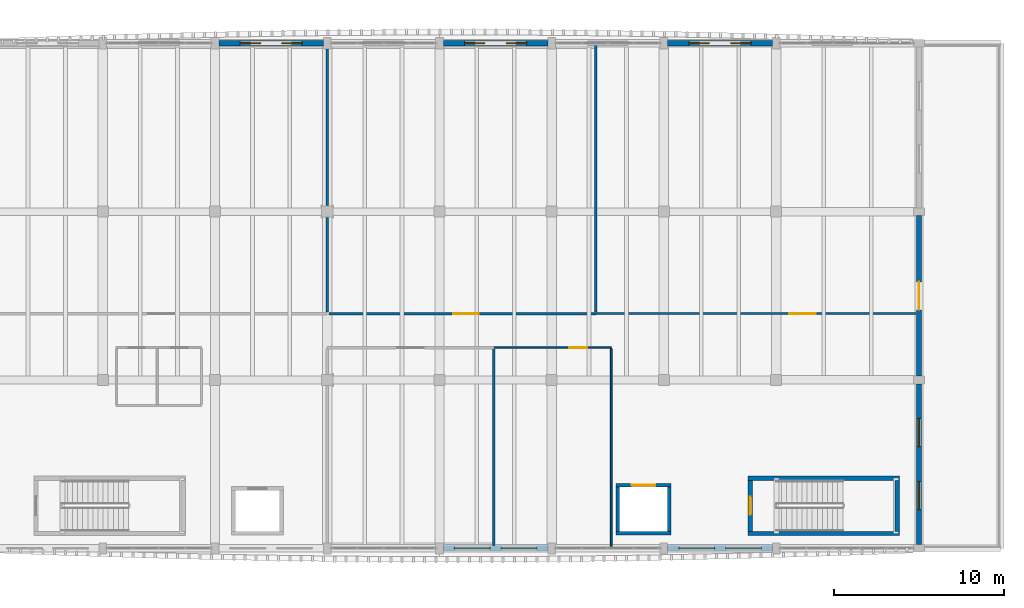
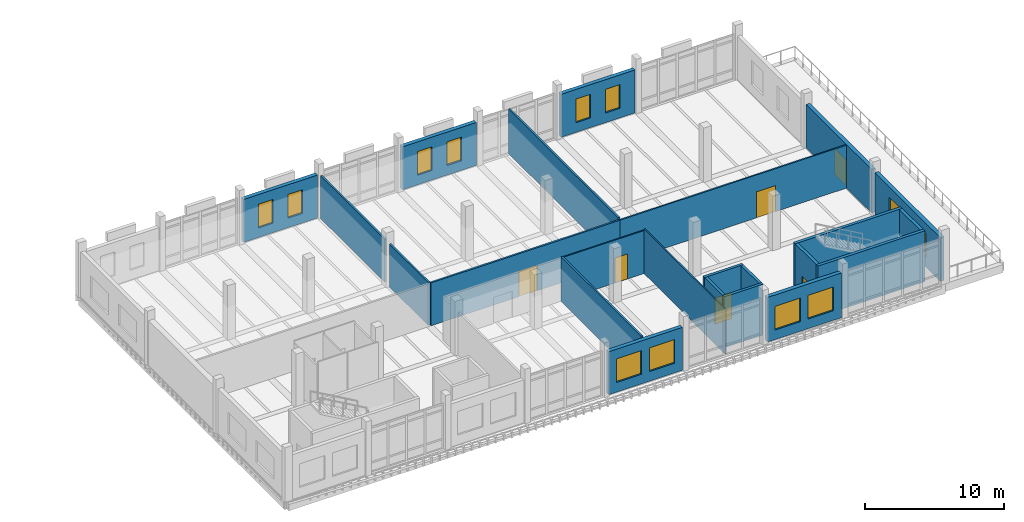
# One storey, part 24 of 39: 23 walls, 12 windows, 6 doors, 18 openings.
"""IFC4 building model written with IfcOpenShell, lengths in metres."""

from ifc_helpers import new_model, si_unit, direction, frame, frame_2d, origin, place, context, subcontext, project, spatial, rectangle, extrude, material, layer, layer_set, type_object, element, fill, save


model = new_model("IFC4")

# Units and contexts
model_context = context("Model", 3, precision=1e-05, world=origin(), true_north=direction((0.0, 1.0)))
body_context = subcontext(model_context, "Body", "Model", "MODEL_VIEW")
ifc_project = project(units=[si_unit("LENGTHUNIT", "METRE"), si_unit("AREAUNIT", "SQUARE_METRE"), si_unit("VOLUMEUNIT", "CUBIC_METRE"), si_unit("PLANEANGLEUNIT", "RADIAN"), si_unit("MASSUNIT", "GRAM", prefix="KILO")], contexts=[model_context])

# Site, building, storey
site_placement = place(None, origin())
site = spatial("IfcSite", under=ifc_project, at=site_placement, CompositionType="ELEMENT")
building_placement = place(site_placement, origin())
building = spatial("IfcBuilding", under=site, at=building_placement, Name="Dornvale Research Institute", CompositionType="ELEMENT")
storey_placement = place(building_placement, frame((0.0, 0.0, 24.60009765625)))
storey = spatial("IfcBuildingStorey", under=building, at=storey_placement, Name="L05", CompositionType="ELEMENT", Elevation=24.60009765625)

# Wall, opening, door
ifc_material_1 = material(Name="Acoustic Insulated Double-Stud Laboratory Partition")
ifc_layer_1 = layer(ifc_material_1, 0.1201171875)
ifc_layer_set_1 = layer_set([ifc_layer_1], Name="Acoustic Insulated Double-Stud Laboratory Partition")
wall_type_1 = type_object("IfcWallType", Name="Partition_Dry_120", PredefinedType="PARTITIONING", material=ifc_layer_set_1)
wall_1_placement = place(storey_placement, frame((154.4150390625, 106.199951171875, 0.0), z_axis=(0.0, 0.0, 1.0), x_axis=(1.0, 0.0, 0.0)))
wall_1 = element("IfcWall", 1, at=wall_1_placement, inside=storey, type_object=wall_type_1, Name="L05 V4 interior partition #485", PredefinedType="PARTITIONING", context=body_context, shape_type="SweptSolid", body=[
    extrude(rectangle(XDim=18.81005859375, YDim=0.1201171875, at=frame_2d((9.405029296875, 0.0))), origin(), (0.0, 0.0, 1.0), 3.77978515625),
])
opening_1_placement = place(wall_1_placement, frame((11.344970703125, 0.0, 0.0)))
opening_1 = element("IfcOpeningElement", 2, at=opening_1_placement, cuts=wall_1, Name="Opening ID-18", PredefinedType="OPENING", context=body_context, shape_type="SweptSolid", body=[
    extrude(rectangle(XDim=1.580078125, YDim=2.300048828125, at=frame_2d((0.7900390625, 1.14990234375))), frame((0.0, 0.074951171875, 0.0), z_axis=(0.0, -1.0, 0.0), x_axis=(1.0, 0.0, 0.0)), (0.0, 0.0, 1.0), 0.150146484375),
])
ifc_material_2 = material(Name="Phenolic-Faced Solid-Core Laboratory Door Assembly")
door_type_1 = type_object("IfcDoorType", Name="Door_Collab_1580x2300", OperationType="SINGLE_SWING_LEFT", PredefinedType="DOOR", material=ifc_material_2)
door_1_placement = place(opening_1_placement, origin())
door_1 = element("IfcDoor", 3, at=door_1_placement, inside=storey, type_object=door_type_1, Name="L05 East Terrace Wet-Lab Collaboration Lounge L05 door #199", OperationType="SINGLE_SWING_RIGHT", OverallHeight=2.300048828125, OverallWidth=1.580078125, PredefinedType="DOOR", context=body_context, shape_type="SweptSolid", body=[
    extrude(rectangle(XDim=1.580078125, YDim=2.300048828125, at=frame_2d((0.7900390625, 1.14990234375))), frame((0.0, 0.02490234375, 0.0), z_axis=(0.0, -1.0, 0.0), x_axis=(1.0, 0.0, 0.0)), (0.0, 0.0, 1.0), 0.050048828125),
])
fill(opening_1, door_1)

# Walls
ifc_material_3 = material(Name="Acoustic Insulated Double-Stud Laboratory Partition")
ifc_layer_2 = layer(ifc_material_3, 0.14990234375)
ifc_layer_set_2 = layer_set([ifc_layer_2], Name="Acoustic Insulated Double-Stud Laboratory Partition")
wall_type_2 = type_object("IfcWallType", Name="Partition_Lab_150", PredefinedType="PARTITIONING", material=ifc_layer_set_2)
wall_2_placement = place(storey_placement, frame((138.60009765625, 106.2900390625, 0.0), z_axis=(0.0, 0.0, 1.0), x_axis=(0.0, 1.0, 0.0)))
element("IfcWall", 4, at=wall_2_placement, inside=storey, type_object=wall_type_2, Name="L05 V4 interior partition #481", PredefinedType="PARTITIONING", context=body_context, shape_type="SweptSolid", body=[
    extrude(rectangle(XDim=5.56494140625, YDim=0.14990234375, at=frame_2d((2.782470703125, 0.0))), origin(), (0.0, 0.0, 1.0), 3.77978515625),
])
wall_3_placement = place(storey_placement, frame((138.60009765625, 112.544921875, 0.0), z_axis=(0.0, 0.0, 1.0), x_axis=(0.0, 1.0, 0.0)))
element("IfcWall", 5, at=wall_3_placement, inside=storey, type_object=wall_type_2, Name="L05 V4 interior partition #482", PredefinedType="PARTITIONING", context=body_context, shape_type="SweptSolid", body=[
    extrude(rectangle(XDim=9.2099609375, YDim=0.14990234375, at=frame_2d((4.60498046875, 0.0))), origin(), (0.0, 0.0, 1.0), 3.77978515625),
])

# Wall, opening, door
wall_4_placement = place(storey_placement, frame((138.68994140625, 106.199951171875, 0.0), z_axis=(0.0, 0.0, 1.0), x_axis=(1.0, 0.0, 0.0)))
wall_4 = element("IfcWall", 6, at=wall_4_placement, inside=storey, type_object=wall_type_2, Name="L05 V4 interior partition #483", PredefinedType="PARTITIONING", context=body_context, shape_type="SweptSolid", body=[
    extrude(rectangle(XDim=15.7099609375, YDim=0.14990234375, at=frame_2d((7.85498046875, 0.0))), origin(), (0.0, 0.0, 1.0), 3.77978515625),
])
opening_2_placement = place(wall_4_placement, frame((7.31005859375, 0.0, 0.0)))
opening_2 = element("IfcOpeningElement", 7, at=opening_2_placement, cuts=wall_4, Name="Opening ID-06", PredefinedType="OPENING", context=body_context, shape_type="SweptSolid", body=[
    extrude(rectangle(XDim=1.5, YDim=2.25, at=frame_2d((0.75, 1.125))), frame((0.0, 0.08984375, 0.0), z_axis=(0.0, -1.0, 0.0), x_axis=(1.0, 0.0, 0.0)), (0.0, 0.0, 1.0), 0.179931640625),
])
ifc_material_4 = material(Name="Insulated Fire-Rated Hollow Metal Door Assembly")
door_type_2 = type_object("IfcDoorType", Name="Door_WetLab_1500x2250", OperationType="SINGLE_SWING_LEFT", PredefinedType="DOOR", material=ifc_material_4)
door_2_placement = place(opening_2_placement, origin())
door_2 = element("IfcDoor", 8, at=door_2_placement, inside=storey, type_object=door_type_2, Name="L05 Catalysis and Electrochemistry Wet Lab door #198", OperationType="SINGLE_SWING_LEFT", OverallHeight=2.25, OverallWidth=1.5, PredefinedType="DOOR", context=body_context, shape_type="SweptSolid", body=[
    extrude(rectangle(XDim=1.5, YDim=2.25, at=frame_2d((0.75, 1.125))), frame((0.0, 0.02490234375, 0.0), z_axis=(0.0, -1.0, 0.0), x_axis=(1.0, 0.0, 0.0)), (0.0, 0.0, 1.0), 0.050048828125),
])
fill(opening_2, door_2)

# Walls
wall_5_placement = place(storey_placement, frame((154.39990234375, 106.2900390625, 0.0), z_axis=(0.0, 0.0, 1.0), x_axis=(0.0, 1.0, 0.0)))
element("IfcWall", 9, at=wall_5_placement, inside=storey, type_object=wall_type_2, Name="L05 V4 interior partition #484", PredefinedType="PARTITIONING", context=body_context, shape_type="SweptSolid", body=[
    extrude(rectangle(XDim=15.77001953125, YDim=0.14990234375, at=frame_2d((7.885009765625, 0.0))), origin(), (0.0, 0.0, 1.0), 3.929931640625),
])
wall_6_placement = place(storey_placement, frame((148.39990234375, 92.574951171875, 0.0), z_axis=(0.0, 0.0, 1.0), x_axis=(0.0, 1.0, 0.0)))
element("IfcWall", 10, at=wall_6_placement, inside=storey, type_object=wall_type_2, Name="L05 V4 interior partition #489", PredefinedType="PARTITIONING", context=body_context, shape_type="SweptSolid", body=[
    extrude(rectangle(XDim=11.53515625, YDim=0.14990234375, at=frame_2d((5.767578125, 0.0))), origin(), (0.0, 0.0, 1.0), 3.929931640625),
])

# Wall, opening, door
ifc_material_5 = material(Name="Acoustic Insulated Double-Stud Laboratory Partition")
ifc_layer_3 = layer(ifc_material_5, 0.10009765625)
ifc_layer_set_3 = layer_set([ifc_layer_3], Name="Acoustic Insulated Double-Stud Laboratory Partition")
wall_type_3 = type_object("IfcWallType", Name="Partition_Office_100", PredefinedType="PARTITIONING", material=ifc_layer_set_3)
wall_7_placement = place(storey_placement, frame((148.4150390625, 104.199951171875, 0.0), z_axis=(0.0, 0.0, 1.0), x_axis=(1.0, 0.0, 0.0)))
wall_7 = element("IfcWall", 11, at=wall_7_placement, inside=storey, type_object=wall_type_3, Name="L05 V4 interior partition #490", PredefinedType="PARTITIONING", context=body_context, shape_type="SweptSolid", body=[
    extrude(rectangle(XDim=6.885009765625, YDim=0.10009765625, at=frame_2d((3.4423828125, 0.0))), origin(), (0.0, 0.0, 1.0), 3.77978515625),
])
opening_3_placement = place(wall_7_placement, frame((4.405029296875, 0.0, 0.0)))
opening_3 = element("IfcOpeningElement", 12, at=opening_3_placement, cuts=wall_7, Name="Opening ID-19", PredefinedType="OPENING", context=body_context, shape_type="SweptSolid", body=[
    extrude(rectangle(XDim=1.06005859375, YDim=2.199951171875, at=frame_2d((0.530029296875, 1.10009765625))), frame((0.0, 0.06494140625, 0.0), z_axis=(0.0, -1.0, 0.0), x_axis=(1.0, 0.0, 0.0)), (0.0, 0.0, 1.0), 0.130126953125),
])
ifc_material_6 = material(Name="Phenolic-Faced Solid-Core Laboratory Door Assembly")
door_type_3 = type_object("IfcDoorType", Name="Door_WriteUp_1060x2200", OperationType="SINGLE_SWING_LEFT", PredefinedType="DOOR", material=ifc_material_6)
door_3_placement = place(opening_3_placement, origin())
door_3 = element("IfcDoor", 13, at=door_3_placement, inside=storey, type_object=door_type_3, Name="L05 Wet Laboratory Write-Up Bays L05 door #201", OperationType="SINGLE_SWING_RIGHT", OverallHeight=2.199951171875, OverallWidth=1.06005859375, PredefinedType="DOOR", context=body_context, shape_type="SweptSolid", body=[
    extrude(rectangle(XDim=1.06005859375, YDim=2.199951171875, at=frame_2d((0.530029296875, 1.10009765625))), frame((0.0, 0.02490234375, 0.0), z_axis=(0.0, -1.0, 0.0), x_axis=(1.0, 0.0, 0.0)), (0.0, 0.0, 1.0), 0.050048828125),
])
fill(opening_3, door_3)

# Walls
wall_8_placement = place(storey_placement, frame((155.300048828125, 92.43994140625, 0.0), z_axis=(0.0, 0.0, 1.0), x_axis=(0.0, 1.0, 0.0)))
element("IfcWall", 14, at=wall_8_placement, inside=storey, type_object=wall_type_3, Name="L05 V4 interior partition #491", PredefinedType="PARTITIONING", context=body_context, shape_type="SweptSolid", body=[
    extrude(rectangle(XDim=11.695068359375, YDim=0.10009765625, at=frame_2d((5.84765625, 0.0))), origin(), (0.0, 0.0, 1.0), 3.929931640625),
])
ifc_material_7 = material(Name="Concrete f'c 45 MPa (C35/45)", Category="concrete")
ifc_layer_4 = layer(ifc_material_7, 0.25)
ifc_layer_set_4 = layer_set([ifc_layer_4], Name="Concrete f'c 45 MPa (C35/45)")
wall_type_4 = type_object("IfcWallType", Name="ShearWall_Core_250", PredefinedType="SHEAR", material=ifc_layer_set_4)
for number, where, z_axis, x_axis, name in (
    (15, (163.35009765625, 93.27490234375, 0.0), (0.0, 0.0, 1.0), (1.0, 0.0, 0.0), "L05 ST-4 shaft shear wall south"),
    (16, (163.35009765625, 96.52490234375, 0.0), (0.0, 0.0, 1.0), (1.0, 0.0, 0.0), "L05 ST-4 shaft shear wall north"),
):
    element("IfcWall", number, at=place(storey_placement, frame(where, z_axis=z_axis, x_axis=x_axis)), inside=storey, type_object=wall_type_4, Name=name, PredefinedType="SHEAR", context=body_context, shape_type="SweptSolid", body=[
        extrude(rectangle(XDim=8.89990234375, YDim=0.25, at=frame_2d((4.449951171875, 0.0))), origin(), (0.0, 0.0, 1.0), 4.47998046875),
    ])

# Wall, opening, door
wall_9_placement = place(storey_placement, frame((163.47509765625, 93.39990234375, 0.0), z_axis=(0.0, 0.0, 1.0), x_axis=(0.0, 1.0, 0.0)))
wall_9 = element("IfcWall", 17, at=wall_9_placement, inside=storey, type_object=wall_type_4, Name="L05 ST-4 shaft shear wall west", PredefinedType="SHEAR", context=body_context, shape_type="SweptSolid", body=[
    extrude(rectangle(XDim=3.0, YDim=0.25, at=frame_2d((1.5, 0.0))), origin(), (0.0, 0.0, 1.0), 4.47998046875),
])
opening_4_placement = place(wall_9_placement, frame((0.9599609375, 0.0, 0.0)))
opening_4 = element("IfcOpeningElement", 18, at=opening_4_placement, cuts=wall_9, Name="Opening SD-02", PredefinedType="OPENING", context=body_context, shape_type="SweptSolid", body=[
    extrude(rectangle(XDim=1.080078125, YDim=2.199951171875, at=frame_2d((0.5400390625, 1.10009765625))), frame((0.0, 0.139892578125, 0.0), z_axis=(0.0, -1.0, 0.0), x_axis=(1.0, 0.0, 0.0)), (0.0, 0.0, 1.0), 0.280029296875),
])
ifc_material_8 = material(Name="Insulated Fire-Rated Hollow Metal Door Assembly")
door_type_4 = type_object("IfcDoorType", Name="Door_Stair_1080x2200", OperationType="SINGLE_SWING_LEFT", PredefinedType="DOOR", material=ifc_material_8)
door_4_placement = place(opening_4_placement, origin())
door_4 = element("IfcDoor", 19, at=door_4_placement, inside=storey, type_object=door_type_4, Name="L05 ST-4 exit stair door #39", OperationType="SINGLE_SWING_RIGHT", OverallHeight=2.199951171875, OverallWidth=1.080078125, PredefinedType="DOOR", context=body_context, shape_type="SweptSolid", body=[
    extrude(rectangle(XDim=1.080078125, YDim=2.199951171875, at=frame_2d((0.5400390625, 1.10009765625))), frame((0.0, 0.02490234375, 0.0), z_axis=(0.0, -1.0, 0.0), x_axis=(1.0, 0.0, 0.0)), (0.0, 0.0, 1.0), 0.050048828125),
])
fill(opening_4, door_4)

# Walls
wall_10_placement = place(storey_placement, frame((172.125, 93.39990234375, 0.0), z_axis=(0.0, 0.0, 1.0), x_axis=(0.0, 1.0, 0.0)))
element("IfcWall", 20, at=wall_10_placement, inside=storey, type_object=wall_type_4, Name="L05 ST-4 shaft shear wall east", PredefinedType="SHEAR", context=body_context, shape_type="SweptSolid", body=[
    extrude(rectangle(XDim=3.0, YDim=0.25, at=frame_2d((1.5, 0.0))), origin(), (0.0, 0.0, 1.0), 4.47998046875),
])
ifc_material_9 = material(Name="Concrete f'c 45 MPa (C35/45)", Category="concrete")
ifc_layer_5 = layer(ifc_material_9, 0.219970703125)
ifc_layer_set_5 = layer_set([ifc_layer_5], Name="Concrete f'c 45 MPa (C35/45)")
wall_type_5 = type_object("IfcWallType", Name="ShearWall_Shaft_220", PredefinedType="SHEAR", material=ifc_layer_set_5)
wall_11_placement = place(storey_placement, frame((155.580078125, 93.2900390625, 0.0), z_axis=(0.0, 0.0, 1.0), x_axis=(1.0, 0.0, 0.0)))
element("IfcWall", 21, at=wall_11_placement, inside=storey, type_object=wall_type_5, Name="L05 LS1 elevator shaft wall south", PredefinedType="SHEAR", context=body_context, shape_type="SweptSolid", body=[
    extrude(rectangle(XDim=3.239990234375, YDim=0.219970703125, at=frame_2d((1.6201171875, 0.0))), origin(), (0.0, 0.0, 1.0), 4.47998046875),
])

# Wall, opening, door
wall_12_placement = place(storey_placement, frame((155.580078125, 96.110107421875, 0.0), z_axis=(0.0, 0.0, 1.0), x_axis=(1.0, 0.0, 0.0)))
wall_12 = element("IfcWall", 22, at=wall_12_placement, inside=storey, type_object=wall_type_5, Name="L05 LS1 elevator shaft wall north", PredefinedType="SHEAR", context=body_context, shape_type="SweptSolid", body=[
    extrude(rectangle(XDim=3.239990234375, YDim=0.219970703125, at=frame_2d((1.6201171875, 0.0))), origin(), (0.0, 0.0, 1.0), 4.47998046875),
])
opening_5_placement = place(wall_12_placement, frame((0.919921875, 0.0, 0.0)))
opening_5 = element("IfcOpeningElement", 23, at=opening_5_placement, cuts=wall_12, Name="Opening LD-03", PredefinedType="OPENING", context=body_context, shape_type="SweptSolid", body=[
    extrude(rectangle(XDim=1.39990234375, YDim=2.300048828125, at=frame_2d((0.699951171875, 1.14990234375))), frame((0.0, 0.125, 0.0), z_axis=(0.0, -1.0, 0.0), x_axis=(1.0, 0.0, 0.0)), (0.0, 0.0, 1.0), 0.25),
])
ifc_material_10 = material(Name="Brushed Stainless Steel Sliding Elevator Landing Door", Category="steel")
door_type_5 = type_object("IfcDoorType", Name="Door_LiftLanding_Serv_1400x2300", OperationType="SINGLE_SWING_LEFT", PredefinedType="DOOR", material=ifc_material_10)
door_5_placement = place(opening_5_placement, origin())
door_5 = element("IfcDoor", 24, at=door_5_placement, inside=storey, type_object=door_type_5, Name="L05 LS1 sliding elevator landing door #51", OperationType="DOUBLE_DOOR_SLIDING", OverallHeight=2.300048828125, OverallWidth=1.39990234375, PredefinedType="DOOR", context=body_context, shape_type="SweptSolid", body=[
    extrude(rectangle(XDim=1.39990234375, YDim=2.300048828125, at=frame_2d((0.699951171875, 1.14990234375))), frame((0.0, 0.02490234375, 0.0), z_axis=(0.0, -1.0, 0.0), x_axis=(1.0, 0.0, 0.0)), (0.0, 0.0, 1.0), 0.050048828125),
])
fill(opening_5, door_5)

# Walls
for number, where, z_axis, x_axis, name in (
    (25, (155.68994140625, 93.39990234375, 0.0), (0.0, 0.0, 1.0), (0.0, 1.0, 0.0), "L05 LS1 elevator shaft wall west"),
    (26, (158.7099609375, 93.39990234375, 0.0), (0.0, 0.0, 1.0), (0.0, 1.0, 0.0), "L05 LS1 elevator shaft wall east"),
):
    element("IfcWall", number, at=place(storey_placement, frame(where, z_axis=z_axis, x_axis=x_axis)), inside=storey, type_object=wall_type_5, Name=name, PredefinedType="SHEAR", context=body_context, shape_type="SweptSolid", body=[
        extrude(rectangle(XDim=2.60009765625, YDim=0.219970703125, at=frame_2d((1.300048828125, 0.0))), origin(), (0.0, 0.0, 1.0), 4.47998046875),
    ])

# Wall, openings, windows
ifc_material_11 = material(Name="Catalan Pressed Brick and Insulated Cavity Assembly", Category="masonry")
ifc_layer_6 = layer(ifc_material_11, 0.320068359375)
ifc_layer_set_6 = layer_set([ifc_layer_6], Name="Catalan Pressed Brick and Insulated Cavity Assembly")
wall_type_6 = type_object("IfcWallType", Name="StandardWall_BrickCavity_320", PredefinedType="STANDARD", material=ifc_layer_set_6)
wall_13_placement = place(storey_placement, frame((132.22509765625, 122.10009765625, 0.0), z_axis=(0.0, 0.0, 1.0), x_axis=(1.0, 0.0, 0.0)))
wall_13 = element("IfcWall", 27, at=wall_13_placement, inside=storey, type_object=wall_type_6, Name="L05 V4 north exterior wall #265", PredefinedType="STANDARD", context=body_context, shape_type="SweptSolid", body=[
    extrude(rectangle(XDim=6.14990234375, YDim=0.320068359375, at=frame_2d((3.074951171875, 0.0))), origin(), (0.0, 0.0, 1.0), 3.77978515625),
])
opening_6_placement = place(wall_13_placement, frame((1.25, 0.0, 0.85009765625)))
opening_6 = element("IfcOpeningElement", 28, at=opening_6_placement, cuts=wall_13, Name="Opening W-37", PredefinedType="OPENING", context=body_context, shape_type="SweptSolid", body=[
    extrude(rectangle(XDim=1.199951171875, YDim=2.080078125, at=frame_2d((0.60009765625, 1.0400390625))), frame((0.0, 0.175048828125, 0.0), z_axis=(0.0, -1.0, 0.0), x_axis=(1.0, 0.0, 0.0)), (0.0, 0.0, 1.0), 0.35009765625),
])
opening_7_placement = place(wall_13_placement, frame((3.699951171875, 0.0, 0.85009765625)))
opening_7 = element("IfcOpeningElement", 29, at=opening_7_placement, cuts=wall_13, Name="Opening W-37", PredefinedType="OPENING", context=body_context, shape_type="SweptSolid", body=[
    extrude(rectangle(XDim=1.199951171875, YDim=2.080078125, at=frame_2d((0.60009765625, 1.0400390625))), frame((0.0, 0.175048828125, 0.0), z_axis=(0.0, -1.0, 0.0), x_axis=(1.0, 0.0, 0.0)), (0.0, 0.0, 1.0), 0.35009765625),
])
ifc_material_12 = material(Name="Low-E Argon Double Insulating Glazing Unit", Category="glass")
window_type_1 = type_object("IfcWindowType", Name="Window_Alu_1200x2080_37", PartitioningType="SINGLE_PANEL", PredefinedType="WINDOW", material=ifc_material_12)
window_1_placement = place(opening_6_placement, origin())
window_1 = element("IfcWindow", 30, at=window_1_placement, inside=storey, type_object=window_type_1, Name="L05 V4 facade window W-37 #363", OverallHeight=2.080078125, OverallWidth=1.199951171875, PartitioningType="SINGLE_PANEL", PredefinedType="WINDOW", context=body_context, shape_type="SweptSolid", body=[
    extrude(rectangle(XDim=1.199951171875, YDim=2.080078125, at=frame_2d((0.60009765625, 1.0400390625))), frame((0.0, 0.030029296875, 0.0), z_axis=(0.0, -1.0, 0.0), x_axis=(1.0, 0.0, 0.0)), (0.0, 0.0, 1.0), 0.06005859375),
])
fill(opening_6, window_1)
window_2_placement = place(opening_7_placement, origin())
window_2 = element("IfcWindow", 31, at=window_2_placement, inside=storey, type_object=window_type_1, Name="L05 V4 facade window W-37 #364", OverallHeight=2.080078125, OverallWidth=1.199951171875, PartitioningType="SINGLE_PANEL", PredefinedType="WINDOW", context=body_context, shape_type="SweptSolid", body=[
    extrude(rectangle(XDim=1.199951171875, YDim=2.080078125, at=frame_2d((0.60009765625, 1.0400390625))), frame((0.0, 0.030029296875, 0.0), z_axis=(0.0, -1.0, 0.0), x_axis=(1.0, 0.0, 0.0)), (0.0, 0.0, 1.0), 0.06005859375),
])
fill(opening_7, window_2)

wall_14_placement = place(storey_placement, frame((145.425048828125, 122.10009765625, 0.0), z_axis=(0.0, 0.0, 1.0), x_axis=(1.0, 0.0, 0.0)))
wall_14 = element("IfcWall", 32, at=wall_14_placement, inside=storey, type_object=wall_type_6, Name="L05 V4 north exterior wall #266", PredefinedType="STANDARD", context=body_context, shape_type="SweptSolid", body=[
    extrude(rectangle(XDim=6.14990234375, YDim=0.320068359375, at=frame_2d((3.074951171875, 0.0))), origin(), (0.0, 0.0, 1.0), 3.77978515625),
])
opening_8_placement = place(wall_14_placement, frame((1.25, 0.0, 0.85009765625)))
opening_8 = element("IfcOpeningElement", 33, at=opening_8_placement, cuts=wall_14, Name="Opening W-37", PredefinedType="OPENING", context=body_context, shape_type="SweptSolid", body=[
    extrude(rectangle(XDim=1.199951171875, YDim=2.080078125, at=frame_2d((0.60009765625, 1.0400390625))), frame((0.0, 0.175048828125, 0.0), z_axis=(0.0, -1.0, 0.0), x_axis=(1.0, 0.0, 0.0)), (0.0, 0.0, 1.0), 0.35009765625),
])
opening_9_placement = place(wall_14_placement, frame((3.699951171875, 0.0, 0.85009765625)))
opening_9 = element("IfcOpeningElement", 34, at=opening_9_placement, cuts=wall_14, Name="Opening W-37", PredefinedType="OPENING", context=body_context, shape_type="SweptSolid", body=[
    extrude(rectangle(XDim=1.199951171875, YDim=2.080078125, at=frame_2d((0.60009765625, 1.0400390625))), frame((0.0, 0.175048828125, 0.0), z_axis=(0.0, -1.0, 0.0), x_axis=(1.0, 0.0, 0.0)), (0.0, 0.0, 1.0), 0.35009765625),
])
window_3_placement = place(opening_8_placement, origin())
window_3 = element("IfcWindow", 35, at=window_3_placement, inside=storey, type_object=window_type_1, Name="L05 V4 facade window W-37 #365", OverallHeight=2.080078125, OverallWidth=1.199951171875, PartitioningType="SINGLE_PANEL", PredefinedType="WINDOW", context=body_context, shape_type="SweptSolid", body=[
    extrude(rectangle(XDim=1.199951171875, YDim=2.080078125, at=frame_2d((0.60009765625, 1.0400390625))), frame((0.0, 0.030029296875, 0.0), z_axis=(0.0, -1.0, 0.0), x_axis=(1.0, 0.0, 0.0)), (0.0, 0.0, 1.0), 0.06005859375),
])
fill(opening_8, window_3)
window_4_placement = place(opening_9_placement, origin())
window_4 = element("IfcWindow", 36, at=window_4_placement, inside=storey, type_object=window_type_1, Name="L05 V4 facade window W-37 #366", OverallHeight=2.080078125, OverallWidth=1.199951171875, PartitioningType="SINGLE_PANEL", PredefinedType="WINDOW", context=body_context, shape_type="SweptSolid", body=[
    extrude(rectangle(XDim=1.199951171875, YDim=2.080078125, at=frame_2d((0.60009765625, 1.0400390625))), frame((0.0, 0.030029296875, 0.0), z_axis=(0.0, -1.0, 0.0), x_axis=(1.0, 0.0, 0.0)), (0.0, 0.0, 1.0), 0.06005859375),
])
fill(opening_9, window_4)

wall_15_placement = place(storey_placement, frame((158.625, 122.10009765625, 0.0), z_axis=(0.0, 0.0, 1.0), x_axis=(1.0, 0.0, 0.0)))
wall_15 = element("IfcWall", 37, at=wall_15_placement, inside=storey, type_object=wall_type_6, Name="L05 V4 north exterior wall #267", PredefinedType="STANDARD", context=body_context, shape_type="SweptSolid", body=[
    extrude(rectangle(XDim=6.14990234375, YDim=0.320068359375, at=frame_2d((3.074951171875, 0.0))), origin(), (0.0, 0.0, 1.0), 3.77978515625),
])
opening_10_placement = place(wall_15_placement, frame((1.25, 0.0, 0.85009765625)))
opening_10 = element("IfcOpeningElement", 38, at=opening_10_placement, cuts=wall_15, Name="Opening W-37", PredefinedType="OPENING", context=body_context, shape_type="SweptSolid", body=[
    extrude(rectangle(XDim=1.199951171875, YDim=2.080078125, at=frame_2d((0.60009765625, 1.0400390625))), frame((0.0, 0.175048828125, 0.0), z_axis=(0.0, -1.0, 0.0), x_axis=(1.0, 0.0, 0.0)), (0.0, 0.0, 1.0), 0.35009765625),
])
opening_11_placement = place(wall_15_placement, frame((3.699951171875, 0.0, 0.85009765625)))
opening_11 = element("IfcOpeningElement", 39, at=opening_11_placement, cuts=wall_15, Name="Opening W-37", PredefinedType="OPENING", context=body_context, shape_type="SweptSolid", body=[
    extrude(rectangle(XDim=1.199951171875, YDim=2.080078125, at=frame_2d((0.60009765625, 1.0400390625))), frame((0.0, 0.175048828125, 0.0), z_axis=(0.0, -1.0, 0.0), x_axis=(1.0, 0.0, 0.0)), (0.0, 0.0, 1.0), 0.35009765625),
])
window_5_placement = place(opening_10_placement, origin())
window_5 = element("IfcWindow", 40, at=window_5_placement, inside=storey, type_object=window_type_1, Name="L05 V4 facade window W-37 #367", OverallHeight=2.080078125, OverallWidth=1.199951171875, PartitioningType="SINGLE_PANEL", PredefinedType="WINDOW", context=body_context, shape_type="SweptSolid", body=[
    extrude(rectangle(XDim=1.199951171875, YDim=2.080078125, at=frame_2d((0.60009765625, 1.0400390625))), frame((0.0, 0.030029296875, 0.0), z_axis=(0.0, -1.0, 0.0), x_axis=(1.0, 0.0, 0.0)), (0.0, 0.0, 1.0), 0.06005859375),
])
fill(opening_10, window_5)
window_6_placement = place(opening_11_placement, origin())
window_6 = element("IfcWindow", 41, at=window_6_placement, inside=storey, type_object=window_type_1, Name="L05 V4 facade window W-37 #368", OverallHeight=2.080078125, OverallWidth=1.199951171875, PartitioningType="SINGLE_PANEL", PredefinedType="WINDOW", context=body_context, shape_type="SweptSolid", body=[
    extrude(rectangle(XDim=1.199951171875, YDim=2.080078125, at=frame_2d((0.60009765625, 1.0400390625))), frame((0.0, 0.030029296875, 0.0), z_axis=(0.0, -1.0, 0.0), x_axis=(1.0, 0.0, 0.0)), (0.0, 0.0, 1.0), 0.06005859375),
])
fill(opening_11, window_6)

# Wall, opening, door
wall_16_placement = place(storey_placement, frame((173.39990234375, 111.97509765625, 0.0), z_axis=(0.0, 0.0, 1.0), x_axis=(0.0, -1.0, 0.0)))
wall_16 = element("IfcWall", 42, at=wall_16_placement, inside=storey, type_object=wall_type_6, Name="L05 V4 east exterior wall #269", PredefinedType="STANDARD", context=body_context, shape_type="SweptSolid", body=[
    extrude(rectangle(XDim=9.4501953125, YDim=0.320068359375, at=frame_2d((4.72509765625, 0.0))), origin(), (0.0, 0.0, 1.0), 3.829833984375),
])
opening_12_placement = place(wall_16_placement, frame((3.89990234375, 0.0, 0.0)))
opening_12 = element("IfcOpeningElement", 43, at=opening_12_placement, cuts=wall_16, Name="Opening TD-03", PredefinedType="OPENING", context=body_context, shape_type="SweptSolid", body=[
    extrude(rectangle(XDim=1.64990234375, YDim=2.25, at=frame_2d((0.824951171875, 1.125))), frame((0.0, 0.175048828125, 0.0), z_axis=(0.0, -1.0, 0.0), x_axis=(1.0, 0.0, 0.0)), (0.0, 0.0, 1.0), 0.35009765625),
])
ifc_material_13 = material(Name="Galvanized Hollow Metal Insulated Door Assembly")
door_type_6 = type_object("IfcDoorType", Name="Door_TerraceGlazed_1650x2250", OperationType="SINGLE_SWING_LEFT", PredefinedType="DOOR", material=ifc_material_13)
door_6_placement = place(opening_12_placement, origin())
door_6 = element("IfcDoor", 44, at=door_6_placement, inside=storey, type_object=door_type_6, Name="L05 V4 terrace door TD-03 #27", OperationType="DOUBLE_DOOR_SINGLE_SWING", OverallHeight=2.25, OverallWidth=1.64990234375, PredefinedType="DOOR", context=body_context, shape_type="SweptSolid", body=[
    extrude(rectangle(XDim=1.64990234375, YDim=2.25, at=frame_2d((0.824951171875, 1.125))), frame((0.0, 0.02490234375, 0.0), z_axis=(0.0, -1.0, 0.0), x_axis=(1.0, 0.0, 0.0)), (0.0, 0.0, 1.0), 0.050048828125),
])
fill(opening_12, door_6)

# Wall, openings, windows
wall_17_placement = place(storey_placement, frame((173.39990234375, 102.074951171875, 0.0), z_axis=(0.0, 0.0, 1.0), x_axis=(0.0, -1.0, 0.0)))
wall_17 = element("IfcWall", 45, at=wall_17_placement, inside=storey, type_object=wall_type_6, Name="L05 V4 east exterior wall #270", PredefinedType="STANDARD", context=body_context, shape_type="SweptSolid", body=[
    extrude(rectangle(XDim=9.449951171875, YDim=0.320068359375, at=frame_2d((4.72509765625, 0.0))), origin(), (0.0, 0.0, 1.0), 3.829833984375),
])
opening_13_placement = place(wall_17_placement, frame((2.050048828125, 0.0, 0.85009765625)))
opening_13 = element("IfcOpeningElement", 46, at=opening_13_placement, cuts=wall_17, Name="Opening W-40", PredefinedType="OPENING", context=body_context, shape_type="SweptSolid", body=[
    extrude(rectangle(XDim=1.64990234375, YDim=2.080078125, at=frame_2d((0.824951171875, 1.0400390625))), frame((0.0, 0.175048828125, 0.0), z_axis=(0.0, -1.0, 0.0), x_axis=(1.0, 0.0, 0.0)), (0.0, 0.0, 1.0), 0.35009765625),
])
opening_14_placement = place(wall_17_placement, frame((5.75, 0.0, 0.85009765625)))
opening_14 = element("IfcOpeningElement", 47, at=opening_14_placement, cuts=wall_17, Name="Opening W-40", PredefinedType="OPENING", context=body_context, shape_type="SweptSolid", body=[
    extrude(rectangle(XDim=1.64990234375, YDim=2.080078125, at=frame_2d((0.824951171875, 1.0400390625))), frame((0.0, 0.175048828125, 0.0), z_axis=(0.0, -1.0, 0.0), x_axis=(1.0, 0.0, 0.0)), (0.0, 0.0, 1.0), 0.35009765625),
])
ifc_material_14 = material(Name="Low-E Argon Double Insulating Glazing Unit", Category="glass")
window_type_2 = type_object("IfcWindowType", Name="Window_Alu_1650x2080_40", PartitioningType="SINGLE_PANEL", PredefinedType="WINDOW", material=ifc_material_14)
window_7_placement = place(opening_13_placement, origin())
window_7 = element("IfcWindow", 48, at=window_7_placement, inside=storey, type_object=window_type_2, Name="L05 V4 facade window W-40 #371", OverallHeight=2.080078125, OverallWidth=1.64990234375, PartitioningType="SINGLE_PANEL", PredefinedType="WINDOW", context=body_context, shape_type="SweptSolid", body=[
    extrude(rectangle(XDim=1.64990234375, YDim=2.080078125, at=frame_2d((0.824951171875, 1.0400390625))), frame((0.0, 0.030029296875, 0.0), z_axis=(0.0, -1.0, 0.0), x_axis=(1.0, 0.0, 0.0)), (0.0, 0.0, 1.0), 0.06005859375),
])
fill(opening_13, window_7)
window_8_placement = place(opening_14_placement, origin())
window_8 = element("IfcWindow", 49, at=window_8_placement, inside=storey, type_object=window_type_2, Name="L05 V4 facade window W-40 #372", OverallHeight=2.080078125, OverallWidth=1.64990234375, PartitioningType="SINGLE_PANEL", PredefinedType="WINDOW", context=body_context, shape_type="SweptSolid", body=[
    extrude(rectangle(XDim=1.64990234375, YDim=2.080078125, at=frame_2d((0.824951171875, 1.0400390625))), frame((0.0, 0.030029296875, 0.0), z_axis=(0.0, -1.0, 0.0), x_axis=(1.0, 0.0, 0.0)), (0.0, 0.0, 1.0), 0.06005859375),
])
fill(opening_14, window_8)

wall_18_placement = place(storey_placement, frame((164.77490234375, 92.39990234375, 0.0), z_axis=(0.0, 0.0, 1.0), x_axis=(-1.0, 0.0, 0.0)))
wall_18 = element("IfcWall", 50, at=wall_18_placement, inside=storey, type_object=wall_type_6, Name="L05 V4 south exterior wall #271", PredefinedType="STANDARD", context=body_context, shape_type="SweptSolid", body=[
    extrude(rectangle(XDim=6.14990234375, YDim=0.320068359375, at=frame_2d((3.074951171875, 0.0))), origin(), (0.0, 0.0, 1.0), 3.929931640625),
])
opening_15_placement = place(wall_18_placement, frame((0.64990234375, 0.0, 0.85009765625)))
opening_15 = element("IfcOpeningElement", 51, at=opening_15_placement, cuts=wall_18, Name="Opening W-43", PredefinedType="OPENING", context=body_context, shape_type="SweptSolid", body=[
    extrude(rectangle(XDim=2.10009765625, YDim=2.080078125, at=frame_2d((1.050048828125, 1.0400390625))), frame((0.0, 0.175048828125, 0.0), z_axis=(0.0, -1.0, 0.0), x_axis=(1.0, 0.0, 0.0)), (0.0, 0.0, 1.0), 0.35009765625),
])
opening_16_placement = place(wall_18_placement, frame((3.39990234375, 0.0, 0.85009765625)))
opening_16 = element("IfcOpeningElement", 52, at=opening_16_placement, cuts=wall_18, Name="Opening W-43", PredefinedType="OPENING", context=body_context, shape_type="SweptSolid", body=[
    extrude(rectangle(XDim=2.10009765625, YDim=2.080078125, at=frame_2d((1.050048828125, 1.0400390625))), frame((0.0, 0.175048828125, 0.0), z_axis=(0.0, -1.0, 0.0), x_axis=(1.0, 0.0, 0.0)), (0.0, 0.0, 1.0), 0.35009765625),
])
ifc_material_15 = material(Name="Low-E Argon Double Insulating Glazing Unit", Category="glass")
window_type_3 = type_object("IfcWindowType", Name="Window_Alu_2100x2080_43", PartitioningType="DOUBLE_PANEL_VERTICAL", PredefinedType="WINDOW", material=ifc_material_15)
window_9_placement = place(opening_15_placement, origin())
window_9 = element("IfcWindow", 53, at=window_9_placement, inside=storey, type_object=window_type_3, Name="L05 V4 facade window W-43 #373", OverallHeight=2.080078125, OverallWidth=2.10009765625, PartitioningType="DOUBLE_PANEL_VERTICAL", PredefinedType="WINDOW", context=body_context, shape_type="SweptSolid", body=[
    extrude(rectangle(XDim=2.10009765625, YDim=2.080078125, at=frame_2d((1.050048828125, 1.0400390625))), frame((0.0, 0.030029296875, 0.0), z_axis=(0.0, -1.0, 0.0), x_axis=(1.0, 0.0, 0.0)), (0.0, 0.0, 1.0), 0.06005859375),
])
fill(opening_15, window_9)
window_10_placement = place(opening_16_placement, origin())
window_10 = element("IfcWindow", 54, at=window_10_placement, inside=storey, type_object=window_type_3, Name="L05 V4 facade window W-43 #374", OverallHeight=2.080078125, OverallWidth=2.10009765625, PartitioningType="DOUBLE_PANEL_VERTICAL", PredefinedType="WINDOW", context=body_context, shape_type="SweptSolid", body=[
    extrude(rectangle(XDim=2.10009765625, YDim=2.080078125, at=frame_2d((1.050048828125, 1.0400390625))), frame((0.0, 0.030029296875, 0.0), z_axis=(0.0, -1.0, 0.0), x_axis=(1.0, 0.0, 0.0)), (0.0, 0.0, 1.0), 0.06005859375),
])
fill(opening_16, window_10)

wall_19_placement = place(storey_placement, frame((151.574951171875, 92.39990234375, 0.0), z_axis=(0.0, 0.0, 1.0), x_axis=(-1.0, 0.0, 0.0)))
wall_19 = element("IfcWall", 55, at=wall_19_placement, inside=storey, type_object=wall_type_6, Name="L05 V4 south exterior wall #272", PredefinedType="STANDARD", context=body_context, shape_type="SweptSolid", body=[
    extrude(rectangle(XDim=6.14990234375, YDim=0.320068359375, at=frame_2d((3.074951171875, 0.0))), origin(), (0.0, 0.0, 1.0), 3.77978515625),
])
opening_17_placement = place(wall_19_placement, frame((0.64990234375, 0.0, 0.85009765625)))
opening_17 = element("IfcOpeningElement", 56, at=opening_17_placement, cuts=wall_19, Name="Opening W-43", PredefinedType="OPENING", context=body_context, shape_type="SweptSolid", body=[
    extrude(rectangle(XDim=2.10009765625, YDim=2.080078125, at=frame_2d((1.050048828125, 1.0400390625))), frame((0.0, 0.175048828125, 0.0), z_axis=(0.0, -1.0, 0.0), x_axis=(1.0, 0.0, 0.0)), (0.0, 0.0, 1.0), 0.35009765625),
])
opening_18_placement = place(wall_19_placement, frame((3.39990234375, 0.0, 0.85009765625)))
opening_18 = element("IfcOpeningElement", 57, at=opening_18_placement, cuts=wall_19, Name="Opening W-43", PredefinedType="OPENING", context=body_context, shape_type="SweptSolid", body=[
    extrude(rectangle(XDim=2.10009765625, YDim=2.080078125, at=frame_2d((1.050048828125, 1.0400390625))), frame((0.0, 0.175048828125, 0.0), z_axis=(0.0, -1.0, 0.0), x_axis=(1.0, 0.0, 0.0)), (0.0, 0.0, 1.0), 0.35009765625),
])
window_11_placement = place(opening_17_placement, origin())
window_11 = element("IfcWindow", 58, at=window_11_placement, inside=storey, type_object=window_type_3, Name="L05 V4 facade window W-43 #375", OverallHeight=2.080078125, OverallWidth=2.10009765625, PartitioningType="DOUBLE_PANEL_VERTICAL", PredefinedType="WINDOW", context=body_context, shape_type="SweptSolid", body=[
    extrude(rectangle(XDim=2.10009765625, YDim=2.080078125, at=frame_2d((1.050048828125, 1.0400390625))), frame((0.0, 0.030029296875, 0.0), z_axis=(0.0, -1.0, 0.0), x_axis=(1.0, 0.0, 0.0)), (0.0, 0.0, 1.0), 0.06005859375),
])
fill(opening_17, window_11)
window_12_placement = place(opening_18_placement, origin())
window_12 = element("IfcWindow", 59, at=window_12_placement, inside=storey, type_object=window_type_3, Name="L05 V4 facade window W-43 #376", OverallHeight=2.080078125, OverallWidth=2.10009765625, PartitioningType="DOUBLE_PANEL_VERTICAL", PredefinedType="WINDOW", context=body_context, shape_type="SweptSolid", body=[
    extrude(rectangle(XDim=2.10009765625, YDim=2.080078125, at=frame_2d((1.050048828125, 1.0400390625))), frame((0.0, 0.030029296875, 0.0), z_axis=(0.0, -1.0, 0.0), x_axis=(1.0, 0.0, 0.0)), (0.0, 0.0, 1.0), 0.06005859375),
])
fill(opening_18, window_12)

save(model, "model.ifc")
